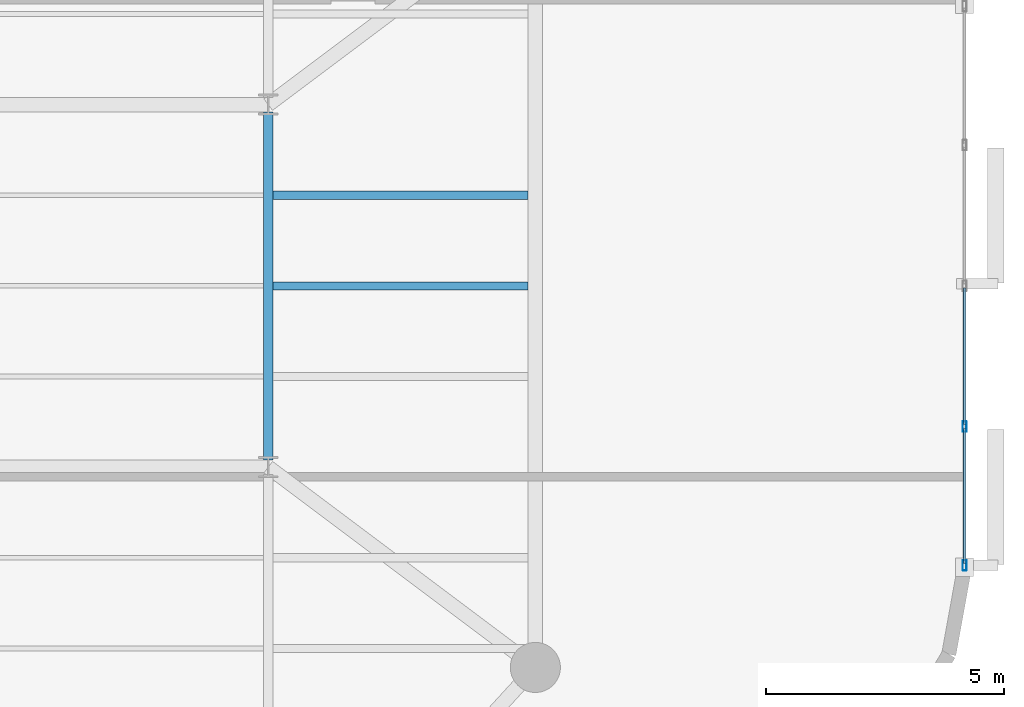
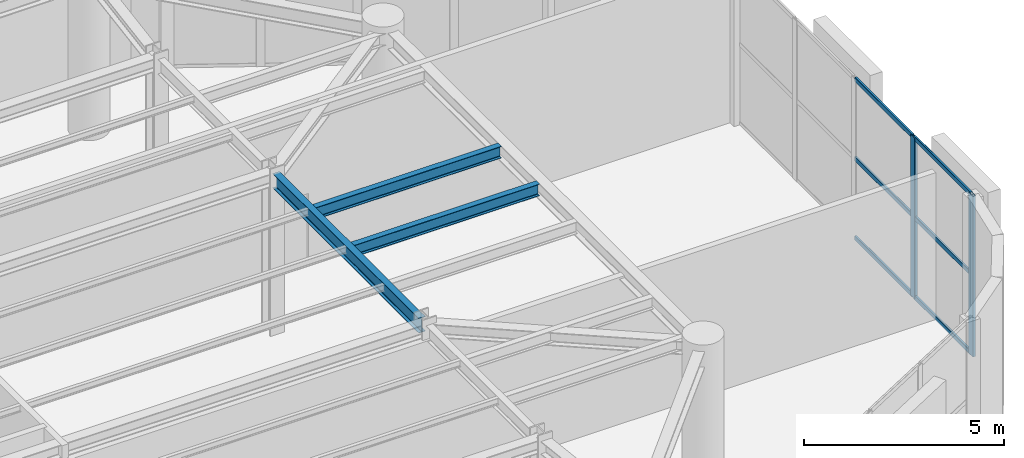
# One storey, part 3 of 11: 8 members, 3 beams, 1 element without a shape of its own.
"""IFC4 building model written with IfcOpenShell, lengths in metres."""

from ifc_helpers import new_model, si_unit, direction, frame, origin, origin_2d, place, context, subcontext, project, spatial, hollow_rectangle, i_section, extrude, material, layer, layer_set, material_profile, profile_set, type_object, element, aggregate, save


model = new_model("IFC4")

# Units and contexts
model_context = context("Model", 3, precision=1e-05, world=origin(), true_north=direction((0.0, 1.0)))
body_context = subcontext(model_context, "Body", "Model", "MODEL_VIEW")
ifc_project = project(units=[si_unit("LENGTHUNIT", "METRE"), si_unit("AREAUNIT", "SQUARE_METRE"), si_unit("VOLUMEUNIT", "CUBIC_METRE"), si_unit("PLANEANGLEUNIT", "RADIAN"), si_unit("MASSUNIT", "GRAM", prefix="KILO")], contexts=[model_context])

# Site, building, storey
site_placement = place(None, origin())
site = spatial("IfcSite", under=ifc_project, at=site_placement, CompositionType="ELEMENT")
building_placement = place(site_placement, origin())
building = spatial("IfcBuilding", under=site, at=building_placement, Name="An Khanh Terracotta Commons", CompositionType="ELEMENT")
storey_placement = place(building_placement, frame((0.0, 0.0, 196.199951171875)))
storey = spatial("IfcBuildingStorey", under=building, at=storey_placement, Name="L51", CompositionType="ELEMENT", Elevation=196.199951171875)

# Beams
ifc_material_1 = material(Name="Steel S355J2", Category="steel")
ifc_material_profile_1 = material_profile(ifc_material_1, i_section(OverallWidth=0.169921875, OverallDepth=0.360107421875, WebThickness=0.008056640625, FlangeThickness=0.0126953125, FilletRadius=0.01806640625, at=origin_2d()), Name="IPE360")
ifc_profile_set_1 = profile_set([ifc_material_profile_1], Name="Steel S355J2")
beam_type_1 = type_object("IfcBeamType", Name="BM-IPE360", PredefinedType="JOIST", material=ifc_profile_set_1)
for number, where, z_axis, x_axis, name in (
    (1, (54.094970703125, 24.0, 4.719970703125), (1.0, 0.0, 0.0), (0.0, 1.0, 0.0), "L51 Riverfront Composite Joist 4"),
    (2, (54.094970703125, 25.89990234375, 4.719970703125), (1.0, 0.0, 0.0), (0.0, 1.0, 0.0), "L51 Riverfront Composite Joist 5"),
):
    element("IfcBeam", number, at=place(storey_placement, frame(where, z_axis=z_axis, x_axis=x_axis)), inside=storey, type_object=beam_type_1, Name=name, PredefinedType="JOIST", context=body_context, shape_type="SweptSolid", body=[
        extrude(i_section(OverallWidth=0.169921875, OverallDepth=0.360107421875, WebThickness=0.008056640625, FlangeThickness=0.0126953125, FilletRadius=0.01806640625, at=origin_2d()), origin(), (0.0, 0.0, 1.0), 5.35498046875),
    ])
ifc_material_profile_2 = material_profile(ifc_material_1, i_section(OverallWidth=0.18994140625, OverallDepth=0.449951171875, WebThickness=0.009521484375, FlangeThickness=0.0146484375, FilletRadius=0.02099609375, at=origin_2d()), Name="IPE450")
ifc_profile_set_2 = profile_set([ifc_material_profile_2], Name="Steel S355J2")
beam_type_2 = type_object("IfcBeamType", Name="BM-IPE450", PredefinedType="JOIST", material=ifc_profile_set_2)
beam_placement = place(storey_placement, frame((54.0, 20.35009765625, 4.675048828125), z_axis=(0.0, 1.0, 0.0), x_axis=(-1.0, 0.0, 0.0)))
element("IfcBeam", 3, at=beam_placement, inside=storey, type_object=beam_type_2, Name="L51 East Spine Girder 2", PredefinedType="JOIST", context=body_context, shape_type="SweptSolid", body=[
    extrude(i_section(OverallWidth=0.18994140625, OverallDepth=0.449951171875, WebThickness=0.009521484375, FlangeThickness=0.0146484375, FilletRadius=0.02099609375, at=origin_2d()), origin(), (0.0, 0.0, 1.0), 7.2998046875),
])

# Curtain wall, members
ifc_material_2 = material(Name="Anodised Aluminium 6063-T6", Category="aluminium")
ifc_layer = layer(ifc_material_2, 0.239990234375, Name="Anodised Aluminium 6063-T6")
ifc_layer_set = layer_set([ifc_layer], Name="Anodised Aluminium 6063-T6")
curtain_wall_type = type_object("IfcCurtainWallType", Name="CW-SYS-04", PredefinedType="USERDEFINED", material=ifc_layer_set)
curtain_wall_placement = place(storey_placement, origin())
curtain_wall = element("IfcCurtainWall", 4, at=curtain_wall_placement, inside=storey, type_object=curtain_wall_type, Name="L51 CW-04 Unitised Curtain Wall CW-L51-12", ObjectType="UNITISED CURTAIN WALL", PredefinedType="USERDEFINED")
ifc_material_profile_3 = material_profile(ifc_material_2, hollow_rectangle(XDim=0.080078125, YDim=0.219970703125, WallThickness=0.0048828125, InnerFilletRadius=0.0048828125, OuterFilletRadius=0.010009765625, at=origin_2d()), Name="RHS220x80x5")
ifc_profile_set_3 = profile_set([ifc_material_profile_3], Name="Anodised Aluminium 6063-T6")
member_type_1 = type_object("IfcMemberType", Name="CWM-RHS220x80x5", PredefinedType="MULLION", material=ifc_profile_set_3)
member_1_placement = place(storey_placement, frame((68.60009765625, 18.14111328125, 0.0), z_axis=(0.0, 0.0, 1.0), x_axis=(-1.0, 0.0, 0.0)))
member_1 = element("IfcMember", 5, at=member_1_placement, type_object=member_type_1, Name="CW-04 mullion 1", PredefinedType="MULLION", context=body_context, shape_type="SweptSolid", body=[
    extrude(hollow_rectangle(XDim=0.080078125, YDim=0.219970703125, WallThickness=0.0048828125, InnerFilletRadius=0.0048828125, OuterFilletRadius=0.010009765625, at=origin_2d()), origin(), (0.0, 0.0, 1.0), 4.900146484375),
])
member_2_placement = place(storey_placement, frame((68.60009765625, 21.050537109375, 0.0), z_axis=(0.0, 0.0, 1.0), x_axis=(-1.0, 0.0, 0.0)))
member_2 = element("IfcMember", 6, at=member_2_placement, type_object=member_type_1, Name="CW-04 mullion 2", PredefinedType="MULLION", context=body_context, shape_type="SweptSolid", body=[
    extrude(hollow_rectangle(XDim=0.080078125, YDim=0.219970703125, WallThickness=0.0048828125, InnerFilletRadius=0.0048828125, OuterFilletRadius=0.010009765625, at=origin_2d()), origin(), (0.0, 0.0, 1.0), 4.900146484375),
])
ifc_material_profile_4 = material_profile(ifc_material_2, hollow_rectangle(XDim=0.06005859375, YDim=0.135009765625, WallThickness=0.003662109375, InnerFilletRadius=0.003662109375, OuterFilletRadius=0.007080078125, at=origin_2d()), Name="RHS135x60x3.6")
ifc_profile_set_4 = profile_set([ifc_material_profile_4], Name="Anodised Aluminium 6063-T6")
member_type_2 = type_object("IfcMemberType", Name="CWT-RHS135x60x3.6", PredefinedType="USERDEFINED", material=ifc_profile_set_4)
member_3_placement = place(storey_placement, frame((68.60009765625, 18.180908203125, 0.030029296875), z_axis=(0.0, 1.0, 0.0), x_axis=(-1.0, 0.0, 0.0)))
member_3 = element("IfcMember", 7, at=member_3_placement, type_object=member_type_2, Name="CW-04 transom 1.1", ObjectType="TRANSOM", PredefinedType="USERDEFINED", context=body_context, shape_type="SweptSolid", body=[
    extrude(hollow_rectangle(XDim=0.06005859375, YDim=0.135009765625, WallThickness=0.003662109375, InnerFilletRadius=0.003662109375, OuterFilletRadius=0.007080078125, at=origin_2d()), origin(), (0.0, 0.0, 1.0), 2.82958984375),
])
member_4_placement = place(storey_placement, frame((68.60009765625, 18.180908203125, 2.449951171875), z_axis=(0.0, 1.0, 0.0), x_axis=(-1.0, 0.0, 0.0)))
member_4 = element("IfcMember", 8, at=member_4_placement, type_object=member_type_2, Name="CW-04 transom 1.2", ObjectType="TRANSOM", PredefinedType="USERDEFINED", context=body_context, shape_type="SweptSolid", body=[
    extrude(hollow_rectangle(XDim=0.06005859375, YDim=0.135009765625, WallThickness=0.003662109375, InnerFilletRadius=0.003662109375, OuterFilletRadius=0.007080078125, at=origin_2d()), origin(), (0.0, 0.0, 1.0), 2.82958984375),
])
member_5_placement = place(storey_placement, frame((68.60009765625, 18.180908203125, 4.8701171875), z_axis=(0.0, 1.0, 0.0), x_axis=(-1.0, 0.0, 0.0)))
member_5 = element("IfcMember", 9, at=member_5_placement, type_object=member_type_2, Name="CW-04 transom 1.3", ObjectType="TRANSOM", PredefinedType="USERDEFINED", context=body_context, shape_type="SweptSolid", body=[
    extrude(hollow_rectangle(XDim=0.06005859375, YDim=0.135009765625, WallThickness=0.003662109375, InnerFilletRadius=0.003662109375, OuterFilletRadius=0.007080078125, at=origin_2d()), origin(), (0.0, 0.0, 1.0), 2.82958984375),
])
member_6_placement = place(storey_placement, frame((68.60009765625, 21.090576171875, 0.030029296875), z_axis=(0.0, 1.0, 0.0), x_axis=(-1.0, 0.0, 0.0)))
member_6 = element("IfcMember", 10, at=member_6_placement, type_object=member_type_2, Name="CW-04 transom 2.1", ObjectType="TRANSOM", PredefinedType="USERDEFINED", context=body_context, shape_type="SweptSolid", body=[
    extrude(hollow_rectangle(XDim=0.06005859375, YDim=0.135009765625, WallThickness=0.003662109375, InnerFilletRadius=0.003662109375, OuterFilletRadius=0.007080078125, at=origin_2d()), origin(), (0.0, 0.0, 1.0), 2.869384765625),
])
member_7_placement = place(storey_placement, frame((68.60009765625, 21.090576171875, 2.449951171875), z_axis=(0.0, 1.0, 0.0), x_axis=(-1.0, 0.0, 0.0)))
member_7 = element("IfcMember", 11, at=member_7_placement, type_object=member_type_2, Name="CW-04 transom 2.2", ObjectType="TRANSOM", PredefinedType="USERDEFINED", context=body_context, shape_type="SweptSolid", body=[
    extrude(hollow_rectangle(XDim=0.06005859375, YDim=0.135009765625, WallThickness=0.003662109375, InnerFilletRadius=0.003662109375, OuterFilletRadius=0.007080078125, at=origin_2d()), origin(), (0.0, 0.0, 1.0), 2.869384765625),
])
member_8_placement = place(storey_placement, frame((68.60009765625, 21.090576171875, 4.8701171875), z_axis=(0.0, 1.0, 0.0), x_axis=(-1.0, 0.0, 0.0)))
member_8 = element("IfcMember", 12, at=member_8_placement, type_object=member_type_2, Name="CW-04 transom 2.3", ObjectType="TRANSOM", PredefinedType="USERDEFINED", context=body_context, shape_type="SweptSolid", body=[
    extrude(hollow_rectangle(XDim=0.06005859375, YDim=0.135009765625, WallThickness=0.003662109375, InnerFilletRadius=0.003662109375, OuterFilletRadius=0.007080078125, at=origin_2d()), origin(), (0.0, 0.0, 1.0), 2.869384765625),
])
aggregate(curtain_wall, [member_1, member_2, member_3, member_4, member_5, member_6, member_7, member_8])

save(model, "model.ifc")
